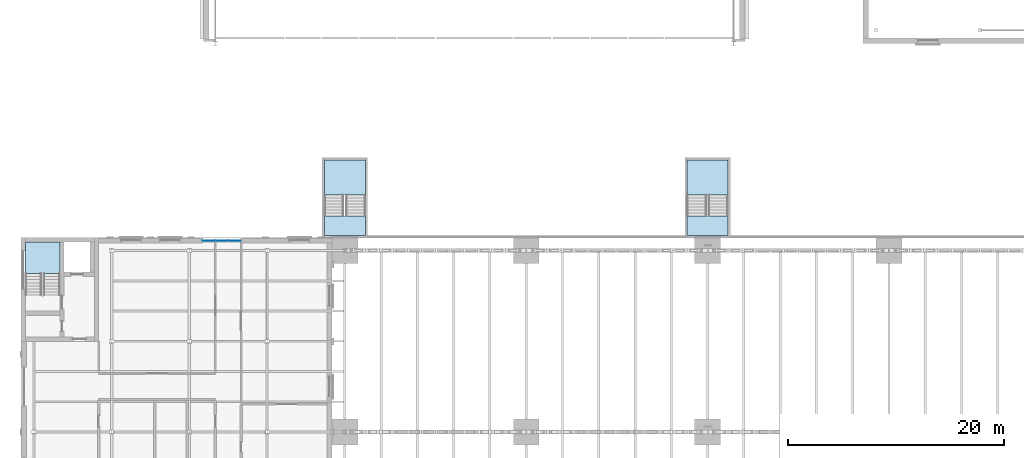
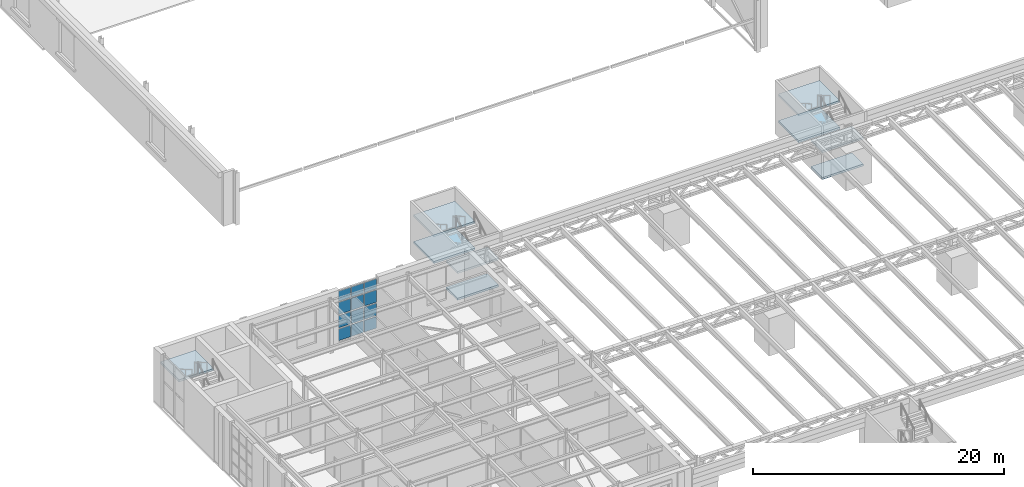
# One storey, part 50 of 93: 12 plates, 9 slabs, 4 elements without a shape of their own.
"""IFC4 building model written with IfcOpenShell, lengths in metres."""

from ifc_helpers import new_model, si_unit, direction, frame, origin, origin_2d, place, context, subcontext, project, spatial, polyline, rectangle, outline, extrude, material, layer, layer_set, type_object, element, aggregate, save


model = new_model("IFC4")

# Units and contexts
model_context = context("Model", 3, precision=1e-05, world=origin(), true_north=direction((0.0, 1.0)))
body_context = subcontext(model_context, "Body", "Model", "MODEL_VIEW")
ifc_project = project(units=[si_unit("LENGTHUNIT", "METRE"), si_unit("AREAUNIT", "SQUARE_METRE"), si_unit("VOLUMEUNIT", "CUBIC_METRE"), si_unit("PLANEANGLEUNIT", "RADIAN"), si_unit("MASSUNIT", "GRAM", prefix="KILO")], contexts=[model_context])

# Site, building, storey
site_placement = place(None, origin())
site = spatial("IfcSite", under=ifc_project, at=site_placement, CompositionType="ELEMENT")
building_placement = place(site_placement, origin())
building = spatial("IfcBuilding", under=site, at=building_placement, Name="Verrick Yard Athletic Hall", CompositionType="ELEMENT")
storey_placement = place(building_placement, frame((0.0, 0.0, 8.800048828125)))
storey = spatial("IfcBuildingStorey", under=building, at=storey_placement, Name="L02", CompositionType="ELEMENT", Elevation=8.800048828125)

# Slabs
ifc_material_1 = material(Name="Concrete 35 MPa", Category="concrete")
ifc_layer_1 = layer(ifc_material_1, 0.199951171875)
ifc_layer_set_1 = layer_set([ifc_layer_1], Name="Core floor slab 200")
slab_type_1 = type_object("IfcSlabType", Name="Core floor slab 200", PredefinedType="FLOOR", material=ifc_layer_set_1)
slab_1_placement = place(storey_placement, frame((0.0, 0.0, -0.199951171875)))
element("IfcSlab", 1, at=slab_1_placement, inside=storey, type_object=slab_type_1, Name="CORE-DT-N1-NL-L02", PredefinedType="FLOOR", context=body_context, shape_type="SweptSolid", body=[
    extrude(outline(polyline([(41.89990234375, 54.199951171875), (41.89990234375, 56.0), (38.10009765625, 56.0), (38.10009765625, 54.199951171875), (41.89990234375, 54.199951171875)])), origin(), (0.0, 0.0, 1.0), 0.199951171875),
])
slab_2_placement = place(storey_placement, frame((0.0, 0.0, -0.199951171875)))
element("IfcSlab", 2, at=slab_2_placement, inside=storey, type_object=slab_type_1, Name="CORE-DT-N3-NL-L02", PredefinedType="FLOOR", context=body_context, shape_type="SweptSolid", body=[
    extrude(outline(polyline([(75.5, 54.199951171875), (75.5, 56.0), (71.699951171875, 56.0), (71.699951171875, 54.199951171875), (75.5, 54.199951171875)])), origin(), (0.0, 0.0, 1.0), 0.199951171875),
])

# Curtain wall, plates
ifc_material_2 = material(Name="Anodised aluminium", Category="aluminium")
ifc_layer_2 = layer(ifc_material_2, 0.199951171875)
ifc_layer_set_2 = layer_set([ifc_layer_2], Name="Front glazing")
curtain_wall_type = type_object("IfcCurtainWallType", Name="Front glazing", PredefinedType="NOTDEFINED", material=ifc_layer_set_2)
curtain_wall_placement = place(storey_placement, origin())
curtain_wall = element("IfcCurtainWall", 3, at=curtain_wall_placement, inside=storey, type_object=curtain_wall_type, Name="ENVB-WN-L02-CW268", PredefinedType="NOTDEFINED")
ifc_material_3 = material(Name="Glass IGU low-e", Category="glass")
ifc_layer_3 = layer(ifc_material_3, 0.03125)
ifc_layer_set_3 = layer_set([ifc_layer_3], Name="Glazing panel 31")
plate_type = type_object("IfcPlateType", Name="Glazing panel 31", PredefinedType="CURTAIN_PANEL", material=ifc_layer_set_3)
plate_1_placement = place(storey_placement, frame((27.4150390625, 53.71875, 0.119873046875), z_axis=(0.0, 0.0, 1.0), x_axis=(1.0, 0.0, 0.0)))
plate_1 = element("IfcPlate", 4, at=plate_1_placement, type_object=plate_type, Name="ENVB-WN-L02-CW268/P00-00", PredefinedType="CURTAIN_PANEL", context=body_context, shape_type="SweptSolid", body=[
    extrude(rectangle(XDim=1.110107421875, YDim=0.03125, at=origin_2d()), origin(), (0.0, 0.0, 1.0), 1.1201171875),
])
plate_2_placement = place(storey_placement, frame((27.4150390625, 53.71875, 1.35986328125), z_axis=(0.0, 0.0, 1.0), x_axis=(1.0, 0.0, 0.0)))
plate_2 = element("IfcPlate", 5, at=plate_2_placement, type_object=plate_type, Name="ENVB-WN-L02-CW268/P00-01", PredefinedType="CURTAIN_PANEL", context=body_context, shape_type="SweptSolid", body=[
    extrude(rectangle(XDim=1.110107421875, YDim=0.03125, at=origin_2d()), origin(), (0.0, 0.0, 1.0), 1.179931640625),
])
plate_3_placement = place(storey_placement, frame((27.4150390625, 53.71875, 2.66015625), z_axis=(0.0, 0.0, 1.0), x_axis=(1.0, 0.0, 0.0)))
plate_3 = element("IfcPlate", 6, at=plate_3_placement, type_object=plate_type, Name="ENVB-WN-L02-CW268/P00-02", PredefinedType="CURTAIN_PANEL", context=body_context, shape_type="SweptSolid", body=[
    extrude(rectangle(XDim=1.110107421875, YDim=0.03125, at=origin_2d()), origin(), (0.0, 0.0, 1.0), 1.179931640625),
])
plate_4_placement = place(storey_placement, frame((27.4150390625, 53.71875, 3.9599609375), z_axis=(0.0, 0.0, 1.0), x_axis=(1.0, 0.0, 0.0)))
plate_4 = element("IfcPlate", 7, at=plate_4_placement, type_object=plate_type, Name="ENVB-WN-L02-CW268/P00-03", PredefinedType="CURTAIN_PANEL", context=body_context, shape_type="SweptSolid", body=[
    extrude(rectangle(XDim=1.110107421875, YDim=0.03125, at=origin_2d()), origin(), (0.0, 0.0, 1.0), 0.969970703125),
])
plate_5_placement = place(storey_placement, frame((28.60009765625, 53.71875, 0.119873046875), z_axis=(0.0, 0.0, 1.0), x_axis=(1.0, 0.0, 0.0)))
plate_5 = element("IfcPlate", 8, at=plate_5_placement, type_object=plate_type, Name="ENVB-WN-L02-CW268/P01-00", PredefinedType="CURTAIN_PANEL", context=body_context, shape_type="SweptSolid", body=[
    extrude(rectangle(XDim=1.139892578125, YDim=0.03125, at=origin_2d()), origin(), (0.0, 0.0, 1.0), 1.1201171875),
])
plate_6_placement = place(storey_placement, frame((28.60009765625, 53.71875, 1.35986328125), z_axis=(0.0, 0.0, 1.0), x_axis=(1.0, 0.0, 0.0)))
plate_6 = element("IfcPlate", 9, at=plate_6_placement, type_object=plate_type, Name="ENVB-WN-L02-CW268/P01-01", PredefinedType="CURTAIN_PANEL", context=body_context, shape_type="SweptSolid", body=[
    extrude(rectangle(XDim=1.139892578125, YDim=0.03125, at=origin_2d()), origin(), (0.0, 0.0, 1.0), 1.179931640625),
])
plate_7_placement = place(storey_placement, frame((28.60009765625, 53.71875, 2.66015625), z_axis=(0.0, 0.0, 1.0), x_axis=(1.0, 0.0, 0.0)))
plate_7 = element("IfcPlate", 10, at=plate_7_placement, type_object=plate_type, Name="ENVB-WN-L02-CW268/P01-02", PredefinedType="CURTAIN_PANEL", context=body_context, shape_type="SweptSolid", body=[
    extrude(rectangle(XDim=1.139892578125, YDim=0.03125, at=origin_2d()), origin(), (0.0, 0.0, 1.0), 1.179931640625),
])
plate_8_placement = place(storey_placement, frame((28.60009765625, 53.71875, 3.9599609375), z_axis=(0.0, 0.0, 1.0), x_axis=(1.0, 0.0, 0.0)))
plate_8 = element("IfcPlate", 11, at=plate_8_placement, type_object=plate_type, Name="ENVB-WN-L02-CW268/P01-03", PredefinedType="CURTAIN_PANEL", context=body_context, shape_type="SweptSolid", body=[
    extrude(rectangle(XDim=1.139892578125, YDim=0.03125, at=origin_2d()), origin(), (0.0, 0.0, 1.0), 0.969970703125),
])
plate_9_placement = place(storey_placement, frame((29.784912109375, 53.71875, 0.119873046875), z_axis=(0.0, 0.0, 1.0), x_axis=(1.0, 0.0, 0.0)))
plate_9 = element("IfcPlate", 12, at=plate_9_placement, type_object=plate_type, Name="ENVB-WN-L02-CW268/P02-00", PredefinedType="CURTAIN_PANEL", context=body_context, shape_type="SweptSolid", body=[
    extrude(rectangle(XDim=1.110107421875, YDim=0.03125, at=origin_2d()), origin(), (0.0, 0.0, 1.0), 1.1201171875),
])
plate_10_placement = place(storey_placement, frame((29.784912109375, 53.71875, 1.35986328125), z_axis=(0.0, 0.0, 1.0), x_axis=(1.0, 0.0, 0.0)))
plate_10 = element("IfcPlate", 13, at=plate_10_placement, type_object=plate_type, Name="ENVB-WN-L02-CW268/P02-01", PredefinedType="CURTAIN_PANEL", context=body_context, shape_type="SweptSolid", body=[
    extrude(rectangle(XDim=1.110107421875, YDim=0.03125, at=origin_2d()), origin(), (0.0, 0.0, 1.0), 1.179931640625),
])
plate_11_placement = place(storey_placement, frame((29.784912109375, 53.71875, 2.66015625), z_axis=(0.0, 0.0, 1.0), x_axis=(1.0, 0.0, 0.0)))
plate_11 = element("IfcPlate", 14, at=plate_11_placement, type_object=plate_type, Name="ENVB-WN-L02-CW268/P02-02", PredefinedType="CURTAIN_PANEL", context=body_context, shape_type="SweptSolid", body=[
    extrude(rectangle(XDim=1.110107421875, YDim=0.03125, at=origin_2d()), origin(), (0.0, 0.0, 1.0), 1.179931640625),
])
plate_12_placement = place(storey_placement, frame((29.784912109375, 53.71875, 3.9599609375), z_axis=(0.0, 0.0, 1.0), x_axis=(1.0, 0.0, 0.0)))
plate_12 = element("IfcPlate", 15, at=plate_12_placement, type_object=plate_type, Name="ENVB-WN-L02-CW268/P02-03", PredefinedType="CURTAIN_PANEL", context=body_context, shape_type="SweptSolid", body=[
    extrude(rectangle(XDim=1.110107421875, YDim=0.03125, at=origin_2d()), origin(), (0.0, 0.0, 1.0), 0.969970703125),
])
aggregate(curtain_wall, [plate_1, plate_2, plate_3, plate_4, plate_5, plate_6, plate_7, plate_8, plate_9, plate_10, plate_11, plate_12])

# Stair, slab
stair_type_1 = type_object("IfcStairType", Name="Stair ST2 1500 wide 32 risers", PredefinedType="HALF_TURN_STAIR", material=ifc_material_1)
stair_1_placement = place(storey_placement, origin())
stair_1 = element("IfcStair", 16, at=stair_1_placement, inside=storey, type_object=stair_type_1, Name="Wing north-west stair L02", PredefinedType="HALF_TURN_STAIR")
ifc_layer_4 = layer(ifc_material_1, 0.199951171875)
ifc_layer_set_4 = layer_set([ifc_layer_4], Name="Stair landing slab 200")
slab_type_2 = type_object("IfcSlabType", Name="Stair landing slab 200", PredefinedType="LANDING", material=ifc_layer_set_4)
slab_3_placement = place(storey_placement, frame((0.0, 0.0, 3.699951171875)))
slab_3 = element("IfcSlab", 17, at=slab_3_placement, type_object=slab_type_2, Name="ST2 landing 3", PredefinedType="LANDING", context=body_context, shape_type="SweptSolid", body=[
    extrude(outline(polyline([(13.60009765625, 50.659912109375), (13.60009765625, 53.60009765625), (10.39990234375, 53.60009765625), (10.39990234375, 50.659912109375), (13.60009765625, 50.659912109375)])), origin(), (0.0, 0.0, 1.0), 0.199951171875),
])
aggregate(stair_1, [slab_3])

# Stair, slabs
stair_type_2 = type_object("IfcStairType", Name="Stair ST4 1800 wide 32 risers", PredefinedType="HALF_TURN_STAIR", material=ifc_material_1)
stair_2_placement = place(storey_placement, origin())
stair_2 = element("IfcStair", 18, at=stair_2_placement, inside=storey, type_object=stair_type_2, Name="North deck escape 1 stair L02", PredefinedType="HALF_TURN_STAIR")
slab_4_placement = place(storey_placement, frame((0.0, 0.0, 1.099853515625)))
slab_4 = element("IfcSlab", 19, at=slab_4_placement, type_object=slab_type_2, Name="ST4 landing 1", PredefinedType="LANDING", context=body_context, shape_type="SweptSolid", body=[
    extrude(outline(polyline([(41.89990234375, 57.9599609375), (41.89990234375, 61.199951171875), (38.10009765625, 61.199951171875), (38.10009765625, 57.9599609375), (41.89990234375, 57.9599609375)])), origin(), (0.0, 0.0, 1.0), 0.2001953125),
])
slab_5_placement = place(storey_placement, frame((0.0, 0.0, 2.39990234375)))
slab_5 = element("IfcSlab", 20, at=slab_5_placement, type_object=slab_type_2, Name="ST4 landing 2", PredefinedType="LANDING", context=body_context, shape_type="SweptSolid", body=[
    extrude(outline(polyline([(41.89990234375, 54.199951171875), (41.89990234375, 56.0), (38.10009765625, 56.0), (38.10009765625, 54.199951171875), (41.89990234375, 54.199951171875)])), origin(), (0.0, 0.0, 1.0), 0.199951171875),
])
slab_6_placement = place(storey_placement, frame((0.0, 0.0, 3.699951171875)))
slab_6 = element("IfcSlab", 21, at=slab_6_placement, type_object=slab_type_2, Name="ST4 landing 3", PredefinedType="LANDING", context=body_context, shape_type="SweptSolid", body=[
    extrude(outline(polyline([(41.89990234375, 57.9599609375), (41.89990234375, 61.199951171875), (38.10009765625, 61.199951171875), (38.10009765625, 57.9599609375), (41.89990234375, 57.9599609375)])), origin(), (0.0, 0.0, 1.0), 0.199951171875),
])
aggregate(stair_2, [slab_4, slab_5, slab_6])

stair_3_placement = place(storey_placement, origin())
stair_3 = element("IfcStair", 22, at=stair_3_placement, inside=storey, type_object=stair_type_2, Name="North deck escape 3 stair L02", PredefinedType="HALF_TURN_STAIR")
slab_7_placement = place(storey_placement, frame((0.0, 0.0, 1.099853515625)))
slab_7 = element("IfcSlab", 23, at=slab_7_placement, type_object=slab_type_2, Name="ST4 landing 1", PredefinedType="LANDING", context=body_context, shape_type="SweptSolid", body=[
    extrude(outline(polyline([(75.5, 57.9599609375), (75.5, 61.199951171875), (71.699951171875, 61.199951171875), (71.699951171875, 57.9599609375), (75.5, 57.9599609375)])), origin(), (0.0, 0.0, 1.0), 0.2001953125),
])
slab_8_placement = place(storey_placement, frame((0.0, 0.0, 2.39990234375)))
slab_8 = element("IfcSlab", 24, at=slab_8_placement, type_object=slab_type_2, Name="ST4 landing 2", PredefinedType="LANDING", context=body_context, shape_type="SweptSolid", body=[
    extrude(outline(polyline([(75.5, 54.199951171875), (75.5, 56.0), (71.699951171875, 56.0), (71.699951171875, 54.199951171875), (75.5, 54.199951171875)])), origin(), (0.0, 0.0, 1.0), 0.199951171875),
])
slab_9_placement = place(storey_placement, frame((0.0, 0.0, 3.699951171875)))
slab_9 = element("IfcSlab", 25, at=slab_9_placement, type_object=slab_type_2, Name="ST4 landing 3", PredefinedType="LANDING", context=body_context, shape_type="SweptSolid", body=[
    extrude(outline(polyline([(75.5, 57.9599609375), (75.5, 61.199951171875), (71.699951171875, 61.199951171875), (71.699951171875, 57.9599609375), (75.5, 57.9599609375)])), origin(), (0.0, 0.0, 1.0), 0.199951171875),
])
aggregate(stair_3, [slab_7, slab_8, slab_9])

save(model, "model.ifc")
